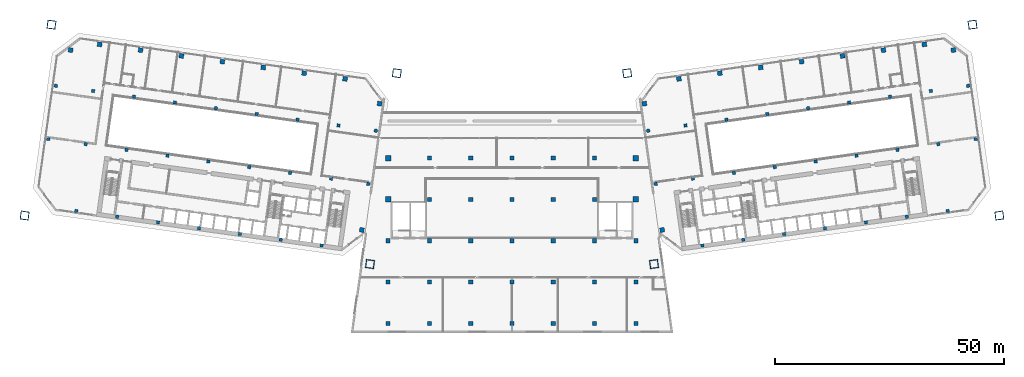
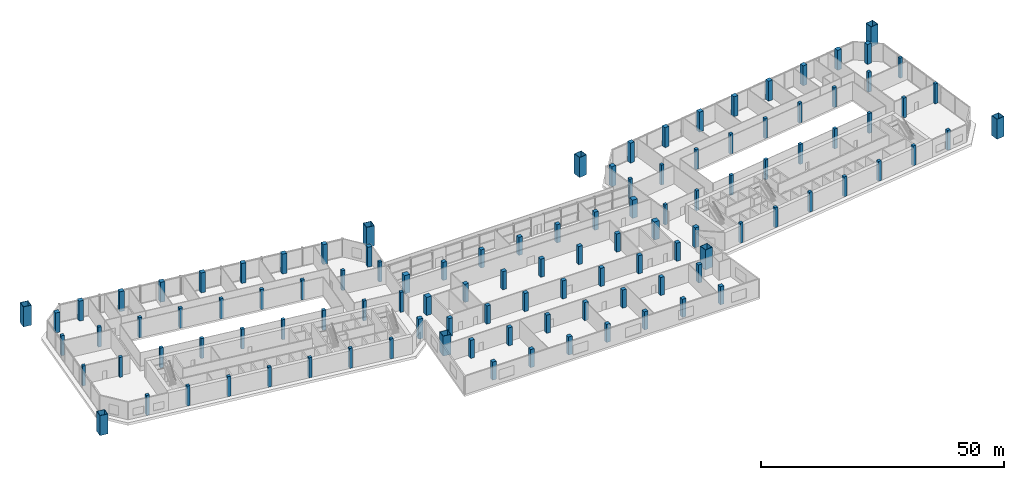
# One storey, part 1 of 21: 113 columns.
"""IFC4 building model written with IfcOpenShell, lengths in metres."""

from ifc_helpers import new_model, si_unit, direction, frame, origin, origin_2d, place, context, subcontext, project, spatial, rectangle, hollow_rectangle, extrude, material, material_profile, profile_set, type_object, element, save


model = new_model("IFC4")

# Units and contexts
model_context = context("Model", 3, precision=1e-05, world=origin(), true_north=direction((0.0, 1.0)))
body_context = subcontext(model_context, "Body", "Model", "MODEL_VIEW")
ifc_project = project(units=[si_unit("LENGTHUNIT", "METRE"), si_unit("AREAUNIT", "SQUARE_METRE"), si_unit("VOLUMEUNIT", "CUBIC_METRE"), si_unit("PLANEANGLEUNIT", "RADIAN"), si_unit("MASSUNIT", "GRAM", prefix="KILO")], contexts=[model_context])

# Site, building, storey
site_placement = place(None, origin())
site = spatial("IfcSite", under=ifc_project, at=site_placement, CompositionType="ELEMENT")
building_placement = place(site_placement, origin())
building = spatial("IfcBuilding", under=site, at=building_placement, Name="Mirante Cascada Hotel Towers", CompositionType="ELEMENT")
storey_placement = place(building_placement, frame((0.0, 0.0, 34.5)))
storey = spatial("IfcBuildingStorey", under=building, at=storey_placement, Name="L05", CompositionType="ELEMENT", Elevation=34.5)

# Columns
ifc_material_1 = material(Name="Steel ASTM A572 Gr 50", Category="steel")
ifc_material_profile_1 = material_profile(ifc_material_1, hollow_rectangle(XDim=1.8, YDim=1.8, WallThickness=0.08, at=origin_2d()), Name="Box column 1800x1800x80 ASTM A572 Gr 50")
ifc_profile_set_1 = profile_set([ifc_material_profile_1], Name="Steel ASTM A572 Gr 50")
column_type_1 = type_object("IfcColumnType", Name="Box column 1800x1800x80 ASTM A572 Gr 50", PredefinedType="COLUMN", material=ifc_profile_set_1)
for number, where, z_axis, x_axis, name in (
    (1, (-25.0968, 18.5173, 0.0), (0.0, 0.0, 1.0), (-0.9902681, 0.1391731, 0.0), "Mega column MC1 T1 L05"),
    (2, (-30.9421, -23.074, 0.0), (0.0, 0.0, 1.0), (-0.9902681, 0.1391731, 0.0), "Mega column MC2 T1 L05"),
    (3, (-100.3572, 29.0944, 0.0), (0.0, 0.0, 1.0), (-0.9902681, 0.1391731, 0.0), "Mega column MC3 T1 L05"),
    (4, (-106.2025, -12.4968, 0.0), (0.0, 0.0, 1.0), (-0.9902681, 0.1391731, 0.0), "Mega column MC4 T1 L05"),
    (5, (25.0968, 18.5173, 0.0), (0.0, 0.0, 1.0), (0.9902681, 0.1391731, 0.0), "Mega column MC1 T2 L05"),
    (6, (30.9421, -23.074, 0.0), (0.0, 0.0, 1.0), (0.9902681, 0.1391731, 0.0), "Mega column MC2 T2 L05"),
    (7, (100.3572, 29.0944, 0.0), (0.0, 0.0, 1.0), (0.9902681, 0.1391731, 0.0), "Mega column MC3 T2 L05"),
    (8, (106.2025, -12.4968, 0.0), (0.0, 0.0, 1.0), (0.9902681, 0.1391731, 0.0), "Mega column MC4 T2 L05"),
):
    element("IfcColumn", number, at=place(storey_placement, frame(where, z_axis=z_axis, x_axis=x_axis)), inside=storey, type_object=column_type_1, Name=name, PredefinedType="COLUMN", context=body_context, shape_type="SweptSolid", body=[
        extrude(hollow_rectangle(XDim=1.8, YDim=1.8, WallThickness=0.08, at=origin_2d()), origin(), (0.0, 0.0, 1.0), 5.0),
    ])
ifc_material_2 = material(Name="Concrete C50/60", Category="concrete")
ifc_material_profile_2 = material_profile(ifc_material_2, rectangle(XDim=1.2, YDim=1.2, at=origin_2d()), Name="RC 1200x1200")
ifc_profile_set_2 = profile_set([ifc_material_profile_2], Name="Concrete C50/60")
column_type_2 = type_object("IfcColumnType", Name="Column RC 1200x1200 C50/60", PredefinedType="COLUMN", material=ifc_profile_set_2)
for number, where, z_axis, x_axis, name in (
    (9, (-27.0, -9.0, 0.0), (0.0, 0.0, 1.0), (1.0, 0.0, 0.0), "col:P:L05:176"),
    (10, (27.0, -9.0, 0.0), (0.0, 0.0, 1.0), (1.0, 0.0, 0.0), "col:P:L05:219"),
    (11, (-27.0, 0.0, 0.0), (0.0, 0.0, 1.0), (1.0, 0.0, 0.0), "col:P:L05:227"),
    (12, (27.0, 0.0, 0.0), (0.0, 0.0, 1.0), (1.0, 0.0, 0.0), "col:P:L05:270"),
):
    element("IfcColumn", number, at=place(storey_placement, frame(where, z_axis=z_axis, x_axis=x_axis)), inside=storey, type_object=column_type_2, Name=name, PredefinedType="COLUMN", context=body_context, shape_type="SweptSolid", body=[
        extrude(rectangle(XDim=1.2, YDim=1.2, at=origin_2d()), origin(), (0.0, 0.0, 1.0), 4.55),
    ])
ifc_material_3 = material(Name="Concrete C50/60", Category="concrete")
ifc_material_profile_3 = material_profile(ifc_material_3, rectangle(XDim=0.9, YDim=0.9, at=origin_2d()), Name="RC 900x900")
ifc_profile_set_3 = profile_set([ifc_material_profile_3], Name="Concrete C50/60")
column_type_3 = type_object("IfcColumnType", Name="Column RC 900x900 C50/60", PredefinedType="COLUMN", material=ifc_profile_set_3)
for number, where, z_axis, x_axis, name in (
    (13, (-27.0, -36.0, 0.0), (0.0, 0.0, 1.0), (1.0, 0.0, 0.0), "col:P:L05:8"),
    (14, (-18.0, -36.0, 0.0), (0.0, 0.0, 1.0), (1.0, 0.0, 0.0), "col:P:L05:16"),
    (15, (-9.0, -36.0, 0.0), (0.0, 0.0, 1.0), (1.0, 0.0, 0.0), "col:P:L05:24"),
    (16, (0.0, -36.0, 0.0), (0.0, 0.0, 1.0), (1.0, 0.0, 0.0), "col:P:L05:32"),
    (17, (9.0, -36.0, 0.0), (0.0, 0.0, 1.0), (1.0, 0.0, 0.0), "col:P:L05:40"),
    (18, (18.0, -36.0, 0.0), (0.0, 0.0, 1.0), (1.0, 0.0, 0.0), "col:P:L05:48"),
    (19, (27.0, -36.0, 0.0), (0.0, 0.0, 1.0), (1.0, 0.0, 0.0), "col:P:L05:56"),
    (20, (-27.0, -27.0, 0.0), (0.0, 0.0, 1.0), (1.0, 0.0, 0.0), "col:P:L05:64"),
    (21, (-18.0, -27.0, 0.0), (0.0, 0.0, 1.0), (1.0, 0.0, 0.0), "col:P:L05:72"),
    (22, (-9.0, -27.0, 0.0), (0.0, 0.0, 1.0), (1.0, 0.0, 0.0), "col:P:L05:80"),
    (23, (0.0, -27.0, 0.0), (0.0, 0.0, 1.0), (1.0, 0.0, 0.0), "col:P:L05:88"),
    (24, (9.0, -27.0, 0.0), (0.0, 0.0, 1.0), (1.0, 0.0, 0.0), "col:P:L05:96"),
    (25, (18.0, -27.0, 0.0), (0.0, 0.0, 1.0), (1.0, 0.0, 0.0), "col:P:L05:104"),
    (26, (27.0, -27.0, 0.0), (0.0, 0.0, 1.0), (1.0, 0.0, 0.0), "col:P:L05:112"),
    (27, (-27.0, -18.0, 0.0), (0.0, 0.0, 1.0), (1.0, 0.0, 0.0), "col:P:L05:120"),
    (28, (-18.0, -18.0, 0.0), (0.0, 0.0, 1.0), (1.0, 0.0, 0.0), "col:P:L05:128"),
    (29, (-9.0, -18.0, 0.0), (0.0, 0.0, 1.0), (1.0, 0.0, 0.0), "col:P:L05:136"),
    (30, (0.0, -18.0, 0.0), (0.0, 0.0, 1.0), (1.0, 0.0, 0.0), "col:P:L05:144"),
    (31, (9.0, -18.0, 0.0), (0.0, 0.0, 1.0), (1.0, 0.0, 0.0), "col:P:L05:152"),
    (32, (18.0, -18.0, 0.0), (0.0, 0.0, 1.0), (1.0, 0.0, 0.0), "col:P:L05:160"),
    (33, (27.0, -18.0, 0.0), (0.0, 0.0, 1.0), (1.0, 0.0, 0.0), "col:P:L05:168"),
    (34, (-18.0, -9.0, 0.0), (0.0, 0.0, 1.0), (1.0, 0.0, 0.0), "col:P:L05:183"),
    (35, (-9.0, -9.0, 0.0), (0.0, 0.0, 1.0), (1.0, 0.0, 0.0), "col:P:L05:190"),
    (36, (0.0, -9.0, 0.0), (0.0, 0.0, 1.0), (1.0, 0.0, 0.0), "col:P:L05:197"),
    (37, (9.0, -9.0, 0.0), (0.0, 0.0, 1.0), (1.0, 0.0, 0.0), "col:P:L05:204"),
    (38, (18.0, -9.0, 0.0), (0.0, 0.0, 1.0), (1.0, 0.0, 0.0), "col:P:L05:211"),
    (39, (-18.0, 0.0, 0.0), (0.0, 0.0, 1.0), (1.0, 0.0, 0.0), "col:P:L05:234"),
    (40, (-9.0, 0.0, 0.0), (0.0, 0.0, 1.0), (1.0, 0.0, 0.0), "col:P:L05:241"),
    (41, (0.0, 0.0, 0.0), (0.0, 0.0, 1.0), (1.0, 0.0, 0.0), "col:P:L05:248"),
    (42, (9.0, 0.0, 0.0), (0.0, 0.0, 1.0), (1.0, 0.0, 0.0), "col:P:L05:255"),
    (43, (18.0, 0.0, 0.0), (0.0, 0.0, 1.0), (1.0, 0.0, 0.0), "col:P:L05:262"),
):
    element("IfcColumn", number, at=place(storey_placement, frame(where, z_axis=z_axis, x_axis=x_axis)), inside=storey, type_object=column_type_3, Name=name, PredefinedType="COLUMN", context=body_context, shape_type="SweptSolid", body=[
        extrude(rectangle(XDim=0.9, YDim=0.9, at=origin_2d()), origin(), (0.0, 0.0, 1.0), 4.55),
    ])
ifc_material_4 = material(Name="Concrete C60/75", Category="concrete")
ifc_material_profile_4 = material_profile(ifc_material_4, rectangle(XDim=1.0, YDim=1.0, at=origin_2d()), Name="RC column 1000x1000 C60/75")
ifc_profile_set_4 = profile_set([ifc_material_profile_4], Name="Concrete C60/75")
column_type_4 = type_object("IfcColumnType", Name="RC column 1000x1000 C60/75", PredefinedType="COLUMN", material=ifc_profile_set_4)
for number, where, z_axis, x_axis, name in (
    (44, (-28.8577, 11.8761, 0.0), (0.0, 0.0, 1.0), (-0.9902681, 0.1391731, 0.0), "Column T1 L05 1"),
    (45, (-32.7267, -15.6534, 0.0), (0.0, 0.0, 1.0), (-0.9902681, 0.1391731, 0.0), "Column T1 L05 4"),
    (46, (-36.3795, 17.2754, 0.0), (0.0, 0.0, 1.0), (-0.9902681, 0.1391731, 0.0), "Column T1 L05 5"),
    (47, (-45.2919, 18.528, 0.0), (0.0, 0.0, 1.0), (-0.9902681, 0.1391731, 0.0), "Column T1 L05 9"),
    (48, (-54.2043, 19.7806, 0.0), (0.0, 0.0, 1.0), (-0.9902681, 0.1391731, 0.0), "Column T1 L05 13"),
    (49, (-63.1167, 21.0331, 0.0), (0.0, 0.0, 1.0), (-0.9902681, 0.1391731, 0.0), "Column T1 L05 17"),
    (50, (-72.0291, 22.2857, 0.0), (0.0, 0.0, 1.0), (-0.9902681, 0.1391731, 0.0), "Column T1 L05 21"),
    (51, (-80.9415, 23.5382, 0.0), (0.0, 0.0, 1.0), (-0.9902681, 0.1391731, 0.0), "Column T1 L05 25"),
    (52, (-89.8539, 24.7908, 0.0), (0.0, 0.0, 1.0), (-0.9902681, 0.1391731, 0.0), "Column T1 L05 29"),
    (53, (-96.1868, 23.5602, 0.0), (0.0, 0.0, 1.0), (-0.9902681, 0.1391731, 0.0), "Column T1 L05 33"),
    (54, (28.8577, 11.8761, 0.0), (0.0, 0.0, 1.0), (0.9902681, 0.1391731, 0.0), "Column T2 L05 1"),
    (55, (32.7267, -15.6534, 0.0), (0.0, 0.0, 1.0), (0.9902681, 0.1391731, 0.0), "Column T2 L05 4"),
    (56, (36.3795, 17.2754, 0.0), (0.0, 0.0, 1.0), (0.9902681, 0.1391731, 0.0), "Column T2 L05 5"),
    (57, (45.2919, 18.528, 0.0), (0.0, 0.0, 1.0), (0.9902681, 0.1391731, 0.0), "Column T2 L05 9"),
    (58, (54.2043, 19.7806, 0.0), (0.0, 0.0, 1.0), (0.9902681, 0.1391731, 0.0), "Column T2 L05 13"),
    (59, (63.1167, 21.0331, 0.0), (0.0, 0.0, 1.0), (0.9902681, 0.1391731, 0.0), "Column T2 L05 17"),
    (60, (72.0291, 22.2857, 0.0), (0.0, 0.0, 1.0), (0.9902681, 0.1391731, 0.0), "Column T2 L05 21"),
    (61, (80.9415, 23.5382, 0.0), (0.0, 0.0, 1.0), (0.9902681, 0.1391731, 0.0), "Column T2 L05 25"),
    (62, (89.8539, 24.7908, 0.0), (0.0, 0.0, 1.0), (0.9902681, 0.1391731, 0.0), "Column T2 L05 29"),
    (63, (96.1868, 23.5602, 0.0), (0.0, 0.0, 1.0), (0.9902681, 0.1391731, 0.0), "Column T2 L05 33"),
):
    element("IfcColumn", number, at=place(storey_placement, frame(where, z_axis=z_axis, x_axis=x_axis)), inside=storey, type_object=column_type_4, Name=name, PredefinedType="COLUMN", context=body_context, shape_type="SweptSolid", body=[
        extrude(rectangle(XDim=1.0, YDim=1.0, at=origin_2d()), origin(), (0.0, 0.0, 1.0), 5.0),
    ])
ifc_material_5 = material(Name="Concrete C60/75", Category="concrete")
ifc_material_profile_5 = material_profile(ifc_material_5, rectangle(XDim=0.7, YDim=0.7, at=origin_2d()), Name="RC column 700x700 C60/75")
ifc_profile_set_5 = profile_set([ifc_material_profile_5], Name="Concrete C60/75")
column_type_5 = type_object("IfcColumnType", Name="RC column 700x700 C60/75", PredefinedType="COLUMN", material=ifc_profile_set_5)
for number, where, z_axis, x_axis, name in (
    (64, (-29.6858, 5.984, 0.0), (0.0, 0.0, 1.0), (-0.9902681, 0.1391731, 0.0), "Column T1 L05 2"),
    (65, (-31.3141, -5.6022, 0.0), (0.0, 0.0, 1.0), (-0.9902681, 0.1391731, 0.0), "Column T1 L05 3"),
    (66, (-37.806, 7.1252, 0.0), (0.0, 0.0, 1.0), (-0.9902681, 0.1391731, 0.0), "Column T1 L05 6"),
    (67, (-39.4343, -4.4609, 0.0), (0.0, 0.0, 1.0), (-0.9902681, 0.1391731, 0.0), "Column T1 L05 7"),
    (68, (-41.4802, -19.0179, 0.0), (0.0, 0.0, 1.0), (-0.9902681, 0.1391731, 0.0), "Column T1 L05 8"),
    (69, (-46.7184, 8.3777, 0.0), (0.0, 0.0, 1.0), (-0.9902681, 0.1391731, 0.0), "Column T1 L05 10"),
    (70, (-48.3467, -3.2084, 0.0), (0.0, 0.0, 1.0), (-0.9902681, 0.1391731, 0.0), "Column T1 L05 11"),
    (71, (-50.3926, -17.7653, 0.0), (0.0, 0.0, 1.0), (-0.9902681, 0.1391731, 0.0), "Column T1 L05 12"),
    (72, (-55.6308, 9.6303, 0.0), (0.0, 0.0, 1.0), (-0.9902681, 0.1391731, 0.0), "Column T1 L05 14"),
    (73, (-57.2591, -1.9558, 0.0), (0.0, 0.0, 1.0), (-0.9902681, 0.1391731, 0.0), "Column T1 L05 15"),
    (74, (-59.305, -16.5128, 0.0), (0.0, 0.0, 1.0), (-0.9902681, 0.1391731, 0.0), "Column T1 L05 16"),
    (75, (-64.5432, 10.8829, 0.0), (0.0, 0.0, 1.0), (-0.9902681, 0.1391731, 0.0), "Column T1 L05 18"),
    (76, (-66.1716, -0.7033, 0.0), (0.0, 0.0, 1.0), (-0.9902681, 0.1391731, 0.0), "Column T1 L05 19"),
    (77, (-68.2174, -15.2602, 0.0), (0.0, 0.0, 1.0), (-0.9902681, 0.1391731, 0.0), "Column T1 L05 20"),
    (78, (-73.4556, 12.1354, 0.0), (0.0, 0.0, 1.0), (-0.9902681, 0.1391731, 0.0), "Column T1 L05 22"),
    (79, (-75.084, 0.5493, 0.0), (0.0, 0.0, 1.0), (-0.9902681, 0.1391731, 0.0), "Column T1 L05 23"),
    (80, (-77.1298, -14.0077, 0.0), (0.0, 0.0, 1.0), (-0.9902681, 0.1391731, 0.0), "Column T1 L05 24"),
    (81, (-82.368, 13.388, 0.0), (0.0, 0.0, 1.0), (-0.9902681, 0.1391731, 0.0), "Column T1 L05 26"),
    (82, (-83.9964, 1.8018, 0.0), (0.0, 0.0, 1.0), (-0.9902681, 0.1391731, 0.0), "Column T1 L05 27"),
    (83, (-86.0422, -12.7551, 0.0), (0.0, 0.0, 1.0), (-0.9902681, 0.1391731, 0.0), "Column T1 L05 28"),
    (84, (-91.2805, 14.6405, 0.0), (0.0, 0.0, 1.0), (-0.9902681, 0.1391731, 0.0), "Column T1 L05 30"),
    (85, (-92.9088, 3.0544, 0.0), (0.0, 0.0, 1.0), (-0.9902681, 0.1391731, 0.0), "Column T1 L05 31"),
    (86, (-94.9546, -11.5025, 0.0), (0.0, 0.0, 1.0), (-0.9902681, 0.1391731, 0.0), "Column T1 L05 32"),
    (87, (-99.4007, 15.7818, 0.0), (0.0, 0.0, 1.0), (-0.9902681, 0.1391731, 0.0), "Column T1 L05 34"),
    (88, (-101.029, 4.1956, 0.0), (0.0, 0.0, 1.0), (-0.9902681, 0.1391731, 0.0), "Column T1 L05 35"),
    (89, (29.6858, 5.984, 0.0), (0.0, 0.0, 1.0), (0.9902681, 0.1391731, 0.0), "Column T2 L05 2"),
    (90, (31.3141, -5.6022, 0.0), (0.0, 0.0, 1.0), (0.9902681, 0.1391731, 0.0), "Column T2 L05 3"),
    (91, (37.806, 7.1252, 0.0), (0.0, 0.0, 1.0), (0.9902681, 0.1391731, 0.0), "Column T2 L05 6"),
    (92, (39.4343, -4.4609, 0.0), (0.0, 0.0, 1.0), (0.9902681, 0.1391731, 0.0), "Column T2 L05 7"),
    (93, (41.4802, -19.0179, 0.0), (0.0, 0.0, 1.0), (0.9902681, 0.1391731, 0.0), "Column T2 L05 8"),
    (94, (46.7184, 8.3777, 0.0), (0.0, 0.0, 1.0), (0.9902681, 0.1391731, 0.0), "Column T2 L05 10"),
    (95, (48.3467, -3.2084, 0.0), (0.0, 0.0, 1.0), (0.9902681, 0.1391731, 0.0), "Column T2 L05 11"),
    (96, (50.3926, -17.7653, 0.0), (0.0, 0.0, 1.0), (0.9902681, 0.1391731, 0.0), "Column T2 L05 12"),
    (97, (55.6308, 9.6303, 0.0), (0.0, 0.0, 1.0), (0.9902681, 0.1391731, 0.0), "Column T2 L05 14"),
    (98, (57.2591, -1.9558, 0.0), (0.0, 0.0, 1.0), (0.9902681, 0.1391731, 0.0), "Column T2 L05 15"),
    (99, (59.305, -16.5128, 0.0), (0.0, 0.0, 1.0), (0.9902681, 0.1391731, 0.0), "Column T2 L05 16"),
    (100, (64.5432, 10.8829, 0.0), (0.0, 0.0, 1.0), (0.9902681, 0.1391731, 0.0), "Column T2 L05 18"),
    (101, (66.1716, -0.7033, 0.0), (0.0, 0.0, 1.0), (0.9902681, 0.1391731, 0.0), "Column T2 L05 19"),
    (102, (68.2174, -15.2602, 0.0), (0.0, 0.0, 1.0), (0.9902681, 0.1391731, 0.0), "Column T2 L05 20"),
    (103, (73.4556, 12.1354, 0.0), (0.0, 0.0, 1.0), (0.9902681, 0.1391731, 0.0), "Column T2 L05 22"),
    (104, (75.084, 0.5493, 0.0), (0.0, 0.0, 1.0), (0.9902681, 0.1391731, 0.0), "Column T2 L05 23"),
    (105, (77.1298, -14.0077, 0.0), (0.0, 0.0, 1.0), (0.9902681, 0.1391731, 0.0), "Column T2 L05 24"),
    (106, (82.368, 13.388, 0.0), (0.0, 0.0, 1.0), (0.9902681, 0.1391731, 0.0), "Column T2 L05 26"),
    (107, (83.9964, 1.8018, 0.0), (0.0, 0.0, 1.0), (0.9902681, 0.1391731, 0.0), "Column T2 L05 27"),
    (108, (86.0422, -12.7551, 0.0), (0.0, 0.0, 1.0), (0.9902681, 0.1391731, 0.0), "Column T2 L05 28"),
    (109, (91.2805, 14.6405, 0.0), (0.0, 0.0, 1.0), (0.9902681, 0.1391731, 0.0), "Column T2 L05 30"),
    (110, (92.9088, 3.0544, 0.0), (0.0, 0.0, 1.0), (0.9902681, 0.1391731, 0.0), "Column T2 L05 31"),
    (111, (94.9546, -11.5025, 0.0), (0.0, 0.0, 1.0), (0.9902681, 0.1391731, 0.0), "Column T2 L05 32"),
    (112, (99.4007, 15.7818, 0.0), (0.0, 0.0, 1.0), (0.9902681, 0.1391731, 0.0), "Column T2 L05 34"),
    (113, (101.029, 4.1956, 0.0), (0.0, 0.0, 1.0), (0.9902681, 0.1391731, 0.0), "Column T2 L05 35"),
):
    element("IfcColumn", number, at=place(storey_placement, frame(where, z_axis=z_axis, x_axis=x_axis)), inside=storey, type_object=column_type_5, Name=name, PredefinedType="COLUMN", context=body_context, shape_type="SweptSolid", body=[
        extrude(rectangle(XDim=0.7, YDim=0.7, at=origin_2d()), origin(), (0.0, 0.0, 1.0), 5.0),
    ])

save(model, "model.ifc")
